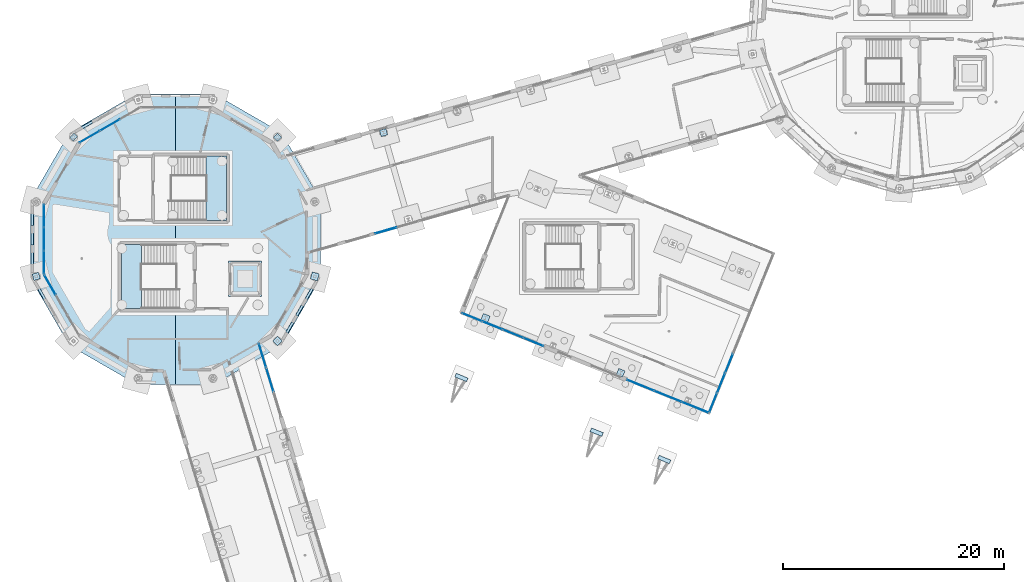
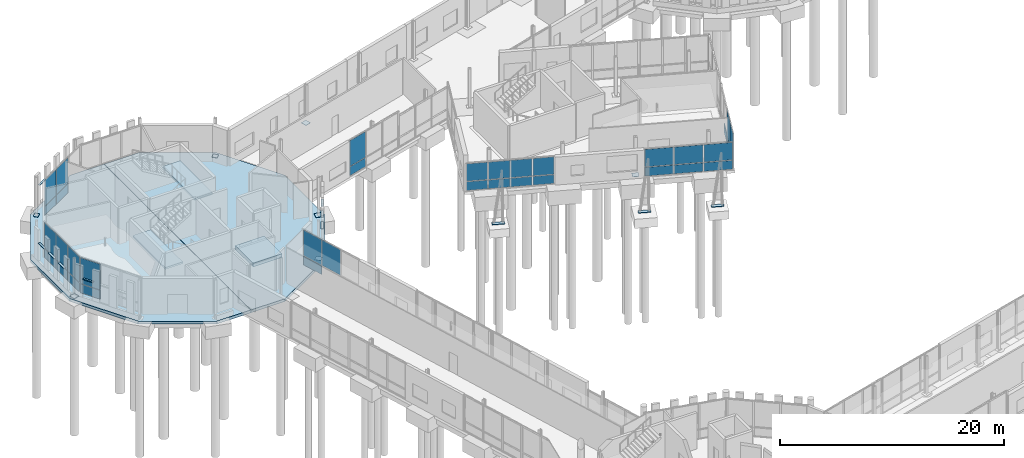
# One storey, part 67 of 113: 55 plates, 5 slabs, 10 elements without a shape of their own.
"""IFC4 building model written with IfcOpenShell, lengths in metres."""

from ifc_helpers import new_model, si_unit, direction, frame, origin, origin_2d, place, context, subcontext, project, spatial, polyline, rectangle, outline, extrude, material, layer, layer_set, type_object, element, aggregate, save


model = new_model("IFC4")

# Units and contexts
model_context = context("Model", 3, precision=1e-05, world=origin(), true_north=direction((0.0, 1.0)))
body_context = subcontext(model_context, "Body", "Model", "MODEL_VIEW")
ifc_project = project(units=[si_unit("LENGTHUNIT", "METRE"), si_unit("AREAUNIT", "SQUARE_METRE"), si_unit("VOLUMEUNIT", "CUBIC_METRE"), si_unit("PLANEANGLEUNIT", "RADIAN"), si_unit("MASSUNIT", "GRAM", prefix="KILO")], contexts=[model_context])

# Site, building, storey
site_placement = place(None, origin())
site = spatial("IfcSite", under=ifc_project, at=site_placement, CompositionType="ELEMENT")
building_placement = place(site_placement, origin())
building = spatial("IfcBuilding", under=site, at=building_placement, Name="Wrenclough Park School", CompositionType="ELEMENT")
storey_placement = place(building_placement, origin())
storey = spatial("IfcBuildingStorey", under=building, at=storey_placement, Name="L00", CompositionType="ELEMENT", Elevation=0.0)

# Curtain wall, plates
ifc_material_1 = material(Name="Thermally broken aluminium and low-e glass curtain wall", Category="aluminium")
curtain_wall_type_1 = type_object("IfcCurtainWallType", Name="ENV-CW-09", PredefinedType="USERDEFINED", material=ifc_material_1)
curtain_wall_1_placement = place(storey_placement, origin())
curtain_wall_1 = element("IfcCurtainWall", 1, at=curtain_wall_1_placement, inside=storey, type_object=curtain_wall_type_1, Name="L00 recessed curtain wall assembly 008", ObjectType="CURTAIN WALL", PredefinedType="USERDEFINED")
ifc_material_2 = material(Name="Double-glazed solar-control low-e glass", Category="glass")
ifc_layer_1 = layer(ifc_material_2, 0.02587890625)
ifc_layer_set_1 = layer_set([ifc_layer_1], Name="Double-glazed solar-control low-e glass")
plate_type_1 = type_object("IfcPlateType", Name="ENV-CWP-GL26", PredefinedType="CURTAIN_PANEL", material=ifc_layer_set_1)
plate_1_placement = place(storey_placement, frame((4.59423828125, 87.393310546875, 0.06982421875), z_axis=(0.0, 0.0, 1.0), x_axis=(0.0, 1.0, 0.0)))
plate_1 = element("IfcPlate", 2, at=plate_1_placement, type_object=plate_type_1, Name="CW-09 panel 1.1", PredefinedType="CURTAIN_PANEL", context=body_context, shape_type="SweptSolid", body=[
    extrude(rectangle(XDim=2.01904296875, YDim=0.02587890625, at=origin_2d()), origin(), (0.0, 0.0, 1.0), 0.945068359375),
])
plate_2_placement = place(storey_placement, frame((4.59423828125, 87.393310546875, 1.0849609375), z_axis=(0.0, 0.0, 1.0), x_axis=(0.0, 1.0, 0.0)))
plate_2 = element("IfcPlate", 3, at=plate_2_placement, type_object=plate_type_1, Name="CW-09 panel 1.2", PredefinedType="CURTAIN_PANEL", context=body_context, shape_type="SweptSolid", body=[
    extrude(rectangle(XDim=2.01904296875, YDim=0.02587890625, at=origin_2d()), origin(), (0.0, 0.0, 1.0), 2.784912109375),
])
plate_3_placement = place(storey_placement, frame((4.59423828125, 89.5, 0.06982421875), z_axis=(0.0, 0.0, 1.0), x_axis=(0.0, 1.0, 0.0)))
plate_3 = element("IfcPlate", 4, at=plate_3_placement, type_object=plate_type_1, Name="CW-09 panel 2.1", PredefinedType="CURTAIN_PANEL", context=body_context, shape_type="SweptSolid", body=[
    extrude(rectangle(XDim=2.05419921875, YDim=0.02587890625, at=origin_2d()), origin(), (0.0, 0.0, 1.0), 0.945068359375),
])
plate_4_placement = place(storey_placement, frame((4.59423828125, 89.5, 1.0849609375), z_axis=(0.0, 0.0, 1.0), x_axis=(0.0, 1.0, 0.0)))
plate_4 = element("IfcPlate", 5, at=plate_4_placement, type_object=plate_type_1, Name="CW-09 panel 2.2", PredefinedType="CURTAIN_PANEL", context=body_context, shape_type="SweptSolid", body=[
    extrude(rectangle(XDim=2.05419921875, YDim=0.02587890625, at=origin_2d()), origin(), (0.0, 0.0, 1.0), 2.784912109375),
])
plate_5_placement = place(storey_placement, frame((4.59423828125, 91.606689453125, 0.06982421875), z_axis=(0.0, 0.0, 1.0), x_axis=(0.0, 1.0, 0.0)))
plate_5 = element("IfcPlate", 6, at=plate_5_placement, type_object=plate_type_1, Name="CW-09 panel 3.1", PredefinedType="CURTAIN_PANEL", context=body_context, shape_type="SweptSolid", body=[
    extrude(rectangle(XDim=2.01904296875, YDim=0.02587890625, at=origin_2d()), origin(), (0.0, 0.0, 1.0), 0.945068359375),
])
plate_6_placement = place(storey_placement, frame((4.59423828125, 91.606689453125, 1.0849609375), z_axis=(0.0, 0.0, 1.0), x_axis=(0.0, 1.0, 0.0)))
plate_6 = element("IfcPlate", 7, at=plate_6_placement, type_object=plate_type_1, Name="CW-09 panel 3.2", PredefinedType="CURTAIN_PANEL", context=body_context, shape_type="SweptSolid", body=[
    extrude(rectangle(XDim=2.01904296875, YDim=0.02587890625, at=origin_2d()), origin(), (0.0, 0.0, 1.0), 2.784912109375),
])
aggregate(curtain_wall_1, [plate_1, plate_2, plate_3, plate_4, plate_5, plate_6])

curtain_wall_type_2 = type_object("IfcCurtainWallType", Name="ENV-CW-13", PredefinedType="USERDEFINED", material=ifc_material_1)
curtain_wall_2_placement = place(storey_placement, origin())
curtain_wall_2 = element("IfcCurtainWall", 8, at=curtain_wall_2_placement, inside=storey, type_object=curtain_wall_type_2, Name="L00 recessed curtain wall assembly 076", ObjectType="CURTAIN WALL", PredefinedType="USERDEFINED")
plate_7_placement = place(storey_placement, frame((48.90087890625, 80.17919921875, 0.06494140625), z_axis=(0.0, 0.0, 1.0), x_axis=(-0.927185306493, 0.374602999753, 0.0)))
plate_7 = element("IfcPlate", 9, at=plate_7_placement, type_object=plate_type_1, Name="CW-13 panel 1.1", PredefinedType="CURTAIN_PANEL", context=body_context, shape_type="SweptSolid", body=[
    extrude(rectangle(XDim=1.913818359375, YDim=0.02587890625, at=origin_2d()), origin(), (0.0, 0.0, 1.0), 0.952392578125),
])
plate_8_placement = place(storey_placement, frame((48.90087890625, 80.17919921875, 1.08251953125), z_axis=(0.0, 0.0, 1.0), x_axis=(-0.927185306493, 0.374602999753, 0.0)))
plate_8 = element("IfcPlate", 10, at=plate_8_placement, type_object=plate_type_1, Name="CW-13 panel 1.2", PredefinedType="CURTAIN_PANEL", context=body_context, shape_type="SweptSolid", body=[
    extrude(rectangle(XDim=1.913818359375, YDim=0.02587890625, at=origin_2d()), origin(), (0.0, 0.0, 1.0), 1.89453125),
])
plate_9_placement = place(storey_placement, frame((47.05126953125, 80.926513671875, 0.06494140625), z_axis=(0.0, 0.0, 1.0), x_axis=(-0.927185306493, 0.374602999753, 0.0)))
plate_9 = element("IfcPlate", 11, at=plate_9_placement, type_object=plate_type_1, Name="CW-13 panel 2.1", PredefinedType="CURTAIN_PANEL", context=body_context, shape_type="SweptSolid", body=[
    extrude(rectangle(XDim=1.9462890625, YDim=0.02587890625, at=origin_2d()), origin(), (0.0, 0.0, 1.0), 0.952392578125),
])
plate_10_placement = place(storey_placement, frame((47.05126953125, 80.926513671875, 1.08251953125), z_axis=(0.0, 0.0, 1.0), x_axis=(-0.927185306493, 0.374602999753, 0.0)))
plate_10 = element("IfcPlate", 12, at=plate_10_placement, type_object=plate_type_1, Name="CW-13 panel 2.2", PredefinedType="CURTAIN_PANEL", context=body_context, shape_type="SweptSolid", body=[
    extrude(rectangle(XDim=1.9462890625, YDim=0.02587890625, at=origin_2d()), origin(), (0.0, 0.0, 1.0), 1.89453125),
])
plate_11_placement = place(storey_placement, frame((45.186279296875, 81.679931640625, 0.06494140625), z_axis=(0.0, 0.0, 1.0), x_axis=(-0.927185306493, 0.374602999753, 0.0)))
plate_11 = element("IfcPlate", 13, at=plate_11_placement, type_object=plate_type_1, Name="CW-13 panel 3.1", PredefinedType="CURTAIN_PANEL", context=body_context, shape_type="SweptSolid", body=[
    extrude(rectangle(XDim=1.9462890625, YDim=0.02587890625, at=origin_2d()), origin(), (0.0, 0.0, 1.0), 0.952392578125),
])
plate_12_placement = place(storey_placement, frame((45.186279296875, 81.679931640625, 1.08251953125), z_axis=(0.0, 0.0, 1.0), x_axis=(-0.927185306493, 0.374602999753, 0.0)))
plate_12 = element("IfcPlate", 14, at=plate_12_placement, type_object=plate_type_1, Name="CW-13 panel 3.2", PredefinedType="CURTAIN_PANEL", context=body_context, shape_type="SweptSolid", body=[
    extrude(rectangle(XDim=1.9462890625, YDim=0.02587890625, at=origin_2d()), origin(), (0.0, 0.0, 1.0), 1.89453125),
])
plate_13_placement = place(storey_placement, frame((43.33642578125, 82.427490234375, 0.06494140625), z_axis=(0.0, 0.0, 1.0), x_axis=(-0.927185306493, 0.374602999753, 0.0)))
plate_13 = element("IfcPlate", 15, at=plate_13_placement, type_object=plate_type_1, Name="CW-13 panel 4.1", PredefinedType="CURTAIN_PANEL", context=body_context, shape_type="SweptSolid", body=[
    extrude(rectangle(XDim=1.913818359375, YDim=0.02587890625, at=origin_2d()), origin(), (0.0, 0.0, 1.0), 0.952392578125),
])
plate_14_placement = place(storey_placement, frame((43.33642578125, 82.427490234375, 1.08251953125), z_axis=(0.0, 0.0, 1.0), x_axis=(-0.927185306493, 0.374602999753, 0.0)))
plate_14 = element("IfcPlate", 16, at=plate_14_placement, type_object=plate_type_1, Name="CW-13 panel 4.2", PredefinedType="CURTAIN_PANEL", context=body_context, shape_type="SweptSolid", body=[
    extrude(rectangle(XDim=1.913818359375, YDim=0.02587890625, at=origin_2d()), origin(), (0.0, 0.0, 1.0), 1.89453125),
])
aggregate(curtain_wall_2, [plate_7, plate_8, plate_9, plate_10, plate_11, plate_12, plate_13, plate_14])

curtain_wall_type_3 = type_object("IfcCurtainWallType", Name="ENV-CW-01", PredefinedType="USERDEFINED", material=ifc_material_1)
curtain_wall_3_placement = place(storey_placement, origin())
curtain_wall_3 = element("IfcCurtainWall", 17, at=curtain_wall_3_placement, inside=storey, type_object=curtain_wall_type_3, Name="L00 recessed curtain wall assembly 080", ObjectType="CURTAIN WALL", PredefinedType="USERDEFINED")
plate_15_placement = place(storey_placement, frame((24.372802734375, 78.968017578125, 0.06982421875), z_axis=(0.0, 0.0, 1.0), x_axis=(0.289988669528, -0.957030078705, 0.0)))
plate_15 = element("IfcPlate", 18, at=plate_15_placement, type_object=plate_type_1, Name="CW-01 panel 1.1", PredefinedType="CURTAIN_PANEL", context=body_context, shape_type="SweptSolid", body=[
    extrude(rectangle(XDim=2.217041015625, YDim=0.02587890625, at=origin_2d()), origin(), (0.0, 0.0, 1.0), 0.945068359375),
])
plate_16_placement = place(storey_placement, frame((24.372802734375, 78.968017578125, 1.0849609375), z_axis=(0.0, 0.0, 1.0), x_axis=(0.289988669528, -0.957030078705, 0.0)))
plate_16 = element("IfcPlate", 19, at=plate_16_placement, type_object=plate_type_1, Name="CW-01 panel 1.2", PredefinedType="CURTAIN_PANEL", context=body_context, shape_type="SweptSolid", body=[
    extrude(rectangle(XDim=2.217041015625, YDim=0.02587890625, at=origin_2d()), origin(), (0.0, 0.0, 1.0), 2.784912109375),
])
plate_17_placement = place(storey_placement, frame((25.041015625, 76.762451171875, 1.0849609375), z_axis=(0.0, 0.0, 1.0), x_axis=(0.289988669528, -0.957030078705, 0.0)))
plate_17 = element("IfcPlate", 20, at=plate_17_placement, type_object=plate_type_1, Name="CW-01 panel 2.2", PredefinedType="CURTAIN_PANEL", context=body_context, shape_type="SweptSolid", body=[
    extrude(rectangle(XDim=2.251953125, YDim=0.02587890625, at=origin_2d()), origin(), (0.0, 0.0, 1.0), 2.784912109375),
])
aggregate(curtain_wall_3, [plate_15, plate_16, plate_17])

curtain_wall_type_4 = type_object("IfcCurtainWallType", Name="ENV-CW-10", PredefinedType="USERDEFINED", material=ifc_material_1)
curtain_wall_4_placement = place(storey_placement, origin())
curtain_wall_4 = element("IfcCurtainWall", 21, at=curtain_wall_4_placement, inside=storey, type_object=curtain_wall_type_4, Name="L00 recessed curtain wall assembly 009", ObjectType="CURTAIN WALL", PredefinedType="USERDEFINED")
ifc_material_3 = material(Name="Double-glazed acoustic low-e glass", Category="glass")
ifc_layer_2 = layer(ifc_material_3, 0.030029296875)
ifc_layer_set_2 = layer_set([ifc_layer_2], Name="Double-glazed acoustic low-e glass")
plate_type_2 = type_object("IfcPlateType", Name="ENV-CWP-GL30", PredefinedType="CURTAIN_PANEL", material=ifc_layer_set_2)
plate_18_placement = place(storey_placement, frame((8.720458984375, 98.756103515625, 0.06005859375), z_axis=(0.0, 0.0, 1.0), x_axis=(0.86602591075, 0.499999121909, 0.0)))
plate_18 = element("IfcPlate", 22, at=plate_18_placement, type_object=plate_type_2, Name="CW-10 panel 1.1", PredefinedType="CURTAIN_PANEL", context=body_context, shape_type="SweptSolid", body=[
    extrude(rectangle(XDim=2.0341796875, YDim=0.030029296875, at=origin_2d()), origin(), (0.0, 0.0, 1.0), 0.9599609375),
])
plate_19_placement = place(storey_placement, frame((8.720458984375, 98.756103515625, 1.080078125), z_axis=(0.0, 0.0, 1.0), x_axis=(0.86602591075, 0.499999121909, 0.0)))
plate_19 = element("IfcPlate", 23, at=plate_19_placement, type_object=plate_type_2, Name="CW-10 panel 1.2", PredefinedType="CURTAIN_PANEL", context=body_context, shape_type="SweptSolid", body=[
    extrude(rectangle(XDim=2.0341796875, YDim=0.030029296875, at=origin_2d()), origin(), (0.0, 0.0, 1.0), 2.800048828125),
])
plate_20_placement = place(storey_placement, frame((10.547119140625, 99.810791015625, 0.06005859375), z_axis=(0.0, 0.0, 1.0), x_axis=(0.86602591075, 0.499999121909, 0.0)))
plate_20 = element("IfcPlate", 24, at=plate_20_placement, type_object=plate_type_2, Name="CW-10 panel 2.1", PredefinedType="CURTAIN_PANEL", context=body_context, shape_type="SweptSolid", body=[
    extrude(rectangle(XDim=2.06396484375, YDim=0.030029296875, at=origin_2d()), origin(), (0.0, 0.0, 1.0), 0.9599609375),
])
plate_21_placement = place(storey_placement, frame((10.547119140625, 99.810791015625, 1.080078125), z_axis=(0.0, 0.0, 1.0), x_axis=(0.86602591075, 0.499999121909, 0.0)))
plate_21 = element("IfcPlate", 25, at=plate_21_placement, type_object=plate_type_2, Name="CW-10 panel 2.2", PredefinedType="CURTAIN_PANEL", context=body_context, shape_type="SweptSolid", body=[
    extrude(rectangle(XDim=2.06396484375, YDim=0.030029296875, at=origin_2d()), origin(), (0.0, 0.0, 1.0), 2.800048828125),
])
aggregate(curtain_wall_4, [plate_18, plate_19, plate_20, plate_21])

curtain_wall_type_5 = type_object("IfcCurtainWallType", Name="ENV-CW-11", PredefinedType="USERDEFINED", material=ifc_material_1)
curtain_wall_5_placement = place(storey_placement, origin())
curtain_wall_5 = element("IfcCurtainWall", 26, at=curtain_wall_5_placement, inside=storey, type_object=curtain_wall_type_5, Name="L00 recessed curtain wall assembly 074", ObjectType="CURTAIN WALL", PredefinedType="USERDEFINED")
ifc_material_4 = material(Name="Triple-glazed senior-lab low-e glass", Category="glass")
ifc_layer_3 = layer(ifc_material_4, 0.033935546875)
ifc_layer_set_3 = layer_set([ifc_layer_3], Name="Triple-glazed senior-lab low-e glass")
plate_type_3 = type_object("IfcPlateType", Name="ENV-CWP-GL34", PredefinedType="CURTAIN_PANEL", material=ifc_layer_set_3)
plate_22_placement = place(storey_placement, frame((66.607177734375, 78.268798828125, 0.06982421875), z_axis=(0.0, 0.0, 1.0), x_axis=(-0.374600688333, -0.927186240353, 0.0)))
plate_22 = element("IfcPlate", 27, at=plate_22_placement, type_object=plate_type_3, Name="CW-11 panel 2.1", PredefinedType="CURTAIN_PANEL", context=body_context, shape_type="SweptSolid", body=[
    extrude(rectangle(XDim=1.873046875, YDim=0.033935546875, at=origin_2d()), origin(), (0.0, 0.0, 1.0), 0.945068359375),
])
plate_23_placement = place(storey_placement, frame((65.87939453125, 76.46728515625, 0.06982421875), z_axis=(0.0, 0.0, 1.0), x_axis=(-0.374600688333, -0.927186240353, 0.0)))
plate_23 = element("IfcPlate", 28, at=plate_23_placement, type_object=plate_type_3, Name="CW-11 panel 3.1", PredefinedType="CURTAIN_PANEL", context=body_context, shape_type="SweptSolid", body=[
    extrude(rectangle(XDim=1.873046875, YDim=0.033935546875, at=origin_2d()), origin(), (0.0, 0.0, 1.0), 0.945068359375),
])
plate_24_placement = place(storey_placement, frame((65.87939453125, 76.46728515625, 1.0849609375), z_axis=(0.0, 0.0, 1.0), x_axis=(-0.374600688333, -0.927186240353, 0.0)))
plate_24 = element("IfcPlate", 29, at=plate_24_placement, type_object=plate_type_3, Name="CW-11 panel 3.2", PredefinedType="CURTAIN_PANEL", context=body_context, shape_type="SweptSolid", body=[
    extrude(rectangle(XDim=1.873046875, YDim=0.033935546875, at=origin_2d()), origin(), (0.0, 0.0, 1.0), 2.784912109375),
])
plate_25_placement = place(storey_placement, frame((65.157958984375, 74.681884765625, 0.06982421875), z_axis=(0.0, 0.0, 1.0), x_axis=(-0.374600688333, -0.927186240353, 0.0)))
plate_25 = element("IfcPlate", 30, at=plate_25_placement, type_object=plate_type_3, Name="CW-11 panel 4.1", PredefinedType="CURTAIN_PANEL", context=body_context, shape_type="SweptSolid", body=[
    extrude(rectangle(XDim=1.837890625, YDim=0.033935546875, at=origin_2d()), origin(), (0.0, 0.0, 1.0), 0.945068359375),
])
plate_26_placement = place(storey_placement, frame((65.157958984375, 74.681884765625, 1.0849609375), z_axis=(0.0, 0.0, 1.0), x_axis=(-0.374600688333, -0.927186240353, 0.0)))
plate_26 = element("IfcPlate", 31, at=plate_26_placement, type_object=plate_type_3, Name="CW-11 panel 4.2", PredefinedType="CURTAIN_PANEL", context=body_context, shape_type="SweptSolid", body=[
    extrude(rectangle(XDim=1.837890625, YDim=0.033935546875, at=origin_2d()), origin(), (0.0, 0.0, 1.0), 2.784912109375),
])
aggregate(curtain_wall_5, [plate_22, plate_23, plate_24, plate_25, plate_26])

curtain_wall_type_6 = type_object("IfcCurtainWallType", Name="ENV-CW-12", PredefinedType="USERDEFINED", material=ifc_material_1)
curtain_wall_6_placement = place(storey_placement, origin())
curtain_wall_6 = element("IfcCurtainWall", 32, at=curtain_wall_6_placement, inside=storey, type_object=curtain_wall_type_6, Name="L00 recessed curtain wall assembly 075", ObjectType="CURTAIN WALL", PredefinedType="USERDEFINED")
ifc_material_5 = material(Name="Laminated sports-concourse safety glass", Category="glass")
ifc_layer_4 = layer(ifc_material_5, 0.0380859375)
ifc_layer_set_4 = layer_set([ifc_layer_4], Name="Laminated sports-concourse safety glass")
plate_type_4 = type_object("IfcPlateType", Name="ENV-CWP-GL38", PredefinedType="CURTAIN_PANEL", material=ifc_layer_set_4)
plate_27_placement = place(storey_placement, frame((63.525146484375, 74.270751953125, 0.06005859375), z_axis=(0.0, 0.0, 1.0), x_axis=(-0.927185306493, 0.374602999753, 0.0)))
plate_27 = element("IfcPlate", 33, at=plate_27_placement, type_object=plate_type_4, Name="CW-12 panel 1.1", PredefinedType="CURTAIN_PANEL", context=body_context, shape_type="SweptSolid", body=[
    extrude(rectangle(XDim=2.591796875, YDim=0.0380859375, at=origin_2d()), origin(), (0.0, 0.0, 1.0), 0.9599609375),
])
plate_28_placement = place(storey_placement, frame((63.525146484375, 74.270751953125, 1.080078125), z_axis=(0.0, 0.0, 1.0), x_axis=(-0.927185306493, 0.374602999753, 0.0)))
plate_28 = element("IfcPlate", 34, at=plate_28_placement, type_object=plate_type_4, Name="CW-12 panel 1.2", PredefinedType="CURTAIN_PANEL", context=body_context, shape_type="SweptSolid", body=[
    extrude(rectangle(XDim=2.591796875, YDim=0.0380859375, at=origin_2d()), origin(), (0.0, 0.0, 1.0), 1.902099609375),
])
plate_29_placement = place(storey_placement, frame((61.052490234375, 75.269775390625, 0.06005859375), z_axis=(0.0, 0.0, 1.0), x_axis=(-0.927185306493, 0.374602999753, 0.0)))
plate_29 = element("IfcPlate", 35, at=plate_29_placement, type_object=plate_type_4, Name="CW-12 panel 2.1", PredefinedType="CURTAIN_PANEL", context=body_context, shape_type="SweptSolid", body=[
    extrude(rectangle(XDim=2.621826171875, YDim=0.0380859375, at=origin_2d()), origin(), (0.0, 0.0, 1.0), 0.9599609375),
])
plate_30_placement = place(storey_placement, frame((61.052490234375, 75.269775390625, 1.080078125), z_axis=(0.0, 0.0, 1.0), x_axis=(-0.927185306493, 0.374602999753, 0.0)))
plate_30 = element("IfcPlate", 36, at=plate_30_placement, type_object=plate_type_4, Name="CW-12 panel 2.2", PredefinedType="CURTAIN_PANEL", context=body_context, shape_type="SweptSolid", body=[
    extrude(rectangle(XDim=2.621826171875, YDim=0.0380859375, at=origin_2d()), origin(), (0.0, 0.0, 1.0), 1.902099609375),
])
plate_31_placement = place(storey_placement, frame((58.580078125, 76.268798828125, 0.06005859375), z_axis=(0.0, 0.0, 1.0), x_axis=(-0.927185306493, 0.374602999753, 0.0)))
plate_31 = element("IfcPlate", 37, at=plate_31_placement, type_object=plate_type_4, Name="CW-12 panel 3.1", PredefinedType="CURTAIN_PANEL", context=body_context, shape_type="SweptSolid", body=[
    extrude(rectangle(XDim=2.591796875, YDim=0.0380859375, at=origin_2d()), origin(), (0.0, 0.0, 1.0), 0.9599609375),
])
plate_32_placement = place(storey_placement, frame((58.580078125, 76.268798828125, 1.080078125), z_axis=(0.0, 0.0, 1.0), x_axis=(-0.927185306493, 0.374602999753, 0.0)))
plate_32 = element("IfcPlate", 38, at=plate_32_placement, type_object=plate_type_4, Name="CW-12 panel 3.2", PredefinedType="CURTAIN_PANEL", context=body_context, shape_type="SweptSolid", body=[
    extrude(rectangle(XDim=2.591796875, YDim=0.0380859375, at=origin_2d()), origin(), (0.0, 0.0, 1.0), 1.902099609375),
])
aggregate(curtain_wall_6, [plate_27, plate_28, plate_29, plate_30, plate_31, plate_32])

curtain_wall_type_7 = type_object("IfcCurtainWallType", Name="ENV-CW-08", PredefinedType="USERDEFINED", material=ifc_material_1)
curtain_wall_7_placement = place(storey_placement, origin())
curtain_wall_7 = element("IfcCurtainWall", 39, at=curtain_wall_7_placement, inside=storey, type_object=curtain_wall_type_7, Name="L00 recessed curtain wall assembly 007", ObjectType="CURTAIN WALL", PredefinedType="USERDEFINED")
ifc_material_6 = material(Name="Acoustic mineral-wool spandrel cassette", Category="aluminium")
ifc_layer_5 = layer(ifc_material_6, 0.053955078125)
ifc_layer_set_5 = layer_set([ifc_layer_5], Name="Acoustic mineral-wool spandrel cassette")
plate_type_5 = type_object("IfcPlateType", Name="ENV-CWP-SP54", PredefinedType="CURTAIN_PANEL", material=ifc_layer_set_5)
plate_33_placement = place(storey_placement, frame((5.13525390625, 85.37255859375, 0.06494140625), z_axis=(0.0, 0.0, 1.0), x_axis=(-0.499999121909, 0.86602591075, 0.0)))
plate_33 = element("IfcPlate", 40, at=plate_33_placement, type_object=plate_type_5, Name="CW-08 panel 3.1", PredefinedType="CURTAIN_PANEL", context=body_context, shape_type="SweptSolid", body=[
    extrude(rectangle(XDim=2.026611328125, YDim=0.053955078125, at=origin_2d()), origin(), (0.0, 0.0, 1.0), 0.952392578125),
])
plate_34_placement = place(storey_placement, frame((5.13525390625, 85.37255859375, 1.08251953125), z_axis=(0.0, 0.0, 1.0), x_axis=(-0.499999121909, 0.86602591075, 0.0)))
plate_34 = element("IfcPlate", 41, at=plate_34_placement, type_object=plate_type_5, Name="CW-08 panel 3.2", PredefinedType="CURTAIN_PANEL", context=body_context, shape_type="SweptSolid", body=[
    extrude(rectangle(XDim=2.026611328125, YDim=0.053955078125, at=origin_2d()), origin(), (0.0, 0.0, 1.0), 2.79248046875),
])
aggregate(curtain_wall_7, [plate_33, plate_34])

curtain_wall_type_8 = type_object("IfcCurtainWallType", Name="ENV-CW-16", PredefinedType="USERDEFINED", material=ifc_material_1)
curtain_wall_8_placement = place(storey_placement, origin())
curtain_wall_8 = element("IfcCurtainWall", 42, at=curtain_wall_8_placement, inside=storey, type_object=curtain_wall_type_8, Name="L00 recessed curtain wall assembly 079", ObjectType="CURTAIN WALL", PredefinedType="USERDEFINED")
plate_35_placement = place(storey_placement, frame((35.534423828125, 90.279052734375, 0.06494140625), z_axis=(0.0, 0.0, 1.0), x_axis=(-0.96152394764, -0.274721127899, 0.0)))
plate_35 = element("IfcPlate", 43, at=plate_35_placement, type_object=plate_type_5, Name="CW-16 panel 3.1", PredefinedType="CURTAIN_PANEL", context=body_context, shape_type="SweptSolid", body=[
    extrude(rectangle(XDim=2.0126953125, YDim=0.053955078125, at=origin_2d()), origin(), (0.0, 0.0, 1.0), 0.952392578125),
])
plate_36_placement = place(storey_placement, frame((35.534423828125, 90.279052734375, 1.08251953125), z_axis=(0.0, 0.0, 1.0), x_axis=(-0.96152394764, -0.274721127899, 0.0)))
plate_36 = element("IfcPlate", 44, at=plate_36_placement, type_object=plate_type_5, Name="CW-16 panel 3.2", PredefinedType="CURTAIN_PANEL", context=body_context, shape_type="SweptSolid", body=[
    extrude(rectangle(XDim=2.0126953125, YDim=0.053955078125, at=origin_2d()), origin(), (0.0, 0.0, 1.0), 2.79248046875),
])
aggregate(curtain_wall_8, [plate_35, plate_36])

# Plates
ifc_material_7 = material(Name="Anodised architectural aluminium solar shading fin plate", Category="aluminium")
ifc_layer_6 = layer(ifc_material_7, 0.0380859375)
ifc_layer_set_6 = layer_set([ifc_layer_6], Name="Anodised architectural aluminium solar shading fin plate")
plate_type_6 = type_object("IfcPlateType", Name="ENV-PL-BSF", PredefinedType="SHEET", material=ifc_layer_set_6)
plate_37_placement = place(storey_placement, frame((8.49755859375, 99.8408203125, 2.4951171875), z_axis=(0.0, 0.0, 1.0), x_axis=(-0.866030885401, -0.499990505441, 0.0)))
element("IfcPlate", 45, at=plate_37_placement, inside=storey, type_object=plate_type_6, Name="D3 L00 open-bond brick screen tie band 0069", PredefinedType="SHEET", context=body_context, shape_type="SweptSolid", body=[
    extrude(rectangle(XDim=1.071044921875, YDim=0.219970703125, at=origin_2d()), origin(), (0.0, 0.0, 1.0), 0.0419921875),
])
plate_38_placement = place(storey_placement, frame((3.54345703125, 91.260009765625, 2.4951171875), z_axis=(0.0, 0.0, 1.0), x_axis=(0.0, -1.0, 0.0)))
element("IfcPlate", 46, at=plate_38_placement, inside=storey, type_object=plate_type_6, Name="D3 L00 open-bond brick screen tie band 0070", PredefinedType="SHEET", context=body_context, shape_type="SweptSolid", body=[
    extrude(rectangle(XDim=1.07080078125, YDim=0.219970703125, at=origin_2d()), origin(), (0.0, 0.0, 1.0), 0.0419921875),
])
plate_39_placement = place(storey_placement, frame((3.54345703125, 89.5, 2.4951171875), z_axis=(0.0, 0.0, 1.0), x_axis=(0.0, -1.0, 0.0)))
element("IfcPlate", 47, at=plate_39_placement, inside=storey, type_object=plate_type_6, Name="D3 L00 open-bond brick screen tie band 0071", PredefinedType="SHEET", context=body_context, shape_type="SweptSolid", body=[
    extrude(rectangle(XDim=1.071044921875, YDim=0.219970703125, at=origin_2d()), origin(), (0.0, 0.0, 1.0), 0.0419921875),
])
plate_40_placement = place(storey_placement, frame((3.54345703125, 87.739990234375, 2.4951171875), z_axis=(0.0, 0.0, 1.0), x_axis=(0.0, -1.0, 0.0)))
element("IfcPlate", 48, at=plate_40_placement, inside=storey, type_object=plate_type_6, Name="D3 L00 open-bond brick screen tie band 0072", PredefinedType="SHEET", context=body_context, shape_type="SweptSolid", body=[
    extrude(rectangle(XDim=1.07080078125, YDim=0.219970703125, at=origin_2d()), origin(), (0.0, 0.0, 1.0), 0.0419921875),
])
for number, where, z_axis, x_axis, name in (
    (49, (4.3994140625, 84.5458984375, 2.4951171875), (0.0, 0.0, 1.0), (0.499990505441, -0.866030885401, 0.0), "D3 L00 open-bond brick screen tie band 0073"),
    (50, (26.8408203125, 81.49755859375, 2.4951171875), (0.0, 0.0, 1.0), (0.499990505441, 0.866030885401, 0.0), "D3 L00 open-bond brick screen tie band 0076"),
    (51, (27.720703125, 83.021728515625, 2.4951171875), (0.0, 0.0, 1.0), (0.499990505441, 0.866030885401, 0.0), "D3 L00 open-bond brick screen tie band 0077"),
    (52, (28.600830078125, 84.5458984375, 2.4951171875), (0.0, 0.0, 1.0), (0.499990505441, 0.866030885401, 0.0), "D3 L00 open-bond brick screen tie band 0078"),
):
    element("IfcPlate", number, at=place(storey_placement, frame(where, z_axis=z_axis, x_axis=x_axis)), inside=storey, type_object=plate_type_6, Name=name, PredefinedType="SHEET", context=body_context, shape_type="SweptSolid", body=[
        extrude(rectangle(XDim=1.071044921875, YDim=0.219970703125, at=origin_2d()), origin(), (0.0, 0.0, 1.0), 0.0419921875),
    ])

# Stair, slab
ifc_material_8 = material(Name="Precast concrete C40/50", Category="concrete")
stair_type = type_object("IfcStairType", Name="INT-ST-180-42", PredefinedType="HALF_TURN_STAIR", material=ifc_material_8)
stair_1_placement = place(storey_placement, origin())
stair_1 = element("IfcStair", 53, at=stair_1_placement, inside=storey, type_object=stair_type, Name="L00 escape stair ST-03", PredefinedType="HALF_TURN_STAIR")
ifc_layer_7 = layer(ifc_material_8, 0.195068359375)
ifc_layer_set_7 = layer_set([ifc_layer_7], Name="Precast concrete C40/50")
slab_type_1 = type_object("IfcSlabType", Name="INT-SL-LAND195", PredefinedType="LANDING", material=ifc_layer_set_7)
slab_1_placement = place(storey_placement, frame((0.0, 0.0, 1.989013671875)))
slab_1 = element("IfcSlab", 54, at=slab_1_placement, type_object=slab_type_1, Name="ST-03 landing 1", PredefinedType="LANDING", context=body_context, shape_type="SweptSolid", body=[
    extrude(outline(polyline([(11.60009765625, 83.199951171875), (13.423095703125, 83.199951171875), (13.423095703125, 89.0), (11.60009765625, 89.0), (11.60009765625, 83.199951171875)])), origin(), (0.0, 0.0, 1.0), 0.195068359375),
])
aggregate(stair_1, [slab_1])

stair_2_placement = place(storey_placement, origin())
stair_2 = element("IfcStair", 55, at=stair_2_placement, inside=storey, type_object=stair_type, Name="L00 escape stair ST-07", PredefinedType="HALF_TURN_STAIR")
slab_2_placement = place(storey_placement, frame((0.0, 0.0, 1.989013671875)))
slab_2 = element("IfcSlab", 56, at=slab_2_placement, type_object=slab_type_1, Name="ST-07 landing 1", PredefinedType="LANDING", context=body_context, shape_type="SweptSolid", body=[
    extrude(outline(polyline([(19.277099609375, 91.199951171875), (21.10009765625, 91.199951171875), (21.10009765625, 97.0), (19.277099609375, 97.0), (19.277099609375, 91.199951171875)])), origin(), (0.0, 0.0, 1.0), 0.195068359375),
])
aggregate(stair_2, [slab_2])

# Plates
ifc_material_9 = material(Name="Structural steel S355", Category="steel")
ifc_layer_8 = layer(ifc_material_9, 0.031982421875)
ifc_layer_set_8 = layer_set([ifc_layer_8], Name="Structural steel S355")
plate_type_7 = type_object("IfcPlateType", Name="STR-PL-BP1", PredefinedType="SHEET", material=ifc_layer_set_8)
for number, where, z_axis, x_axis, name in (
    (57, (44.548828125, 82.347412109375, 0.0), (0.0, 0.0, 1.0), (0.927183854567, -0.374606593416, 0.0), "Steel column baseplate EAVE-COURTYARD-F1"),
    (58, (29.105224609375, 86.122314453125, 0.0), (0.0, 0.0, 1.0), (0.258819045103, 0.965925826289, 0.0), "Steel column baseplate D3-OUT-12"),
):
    element("IfcPlate", number, at=place(storey_placement, frame(where, z_axis=z_axis, x_axis=x_axis)), inside=storey, type_object=plate_type_7, Name=name, PredefinedType="SHEET", context=body_context, shape_type="SweptSolid", body=[
        extrude(rectangle(XDim=0.64990234375, YDim=0.64990234375, at=origin_2d()), origin(), (0.0, 0.0, 1.0), 0.031982421875),
    ])
ifc_layer_9 = layer(ifc_material_9, 0.028076171875)
ifc_layer_set_9 = layer_set([ifc_layer_9], Name="Structural steel S355")
plate_type_8 = type_object("IfcPlateType", Name="STR-PL-BP2", PredefinedType="SHEET", material=ifc_layer_set_9)
plate_41_placement = place(storey_placement, frame((7.272216796875, 98.727783203125, 0.0), z_axis=(0.0, 0.0, 1.0), x_axis=(-0.707106781187, -0.707106781187, 0.0)))
element("IfcPlate", 59, at=plate_41_placement, inside=storey, type_object=plate_type_8, Name="Steel column baseplate D3-OUT-05", PredefinedType="SHEET", context=body_context, shape_type="SweptSolid", body=[
    extrude(rectangle(XDim=0.550048828125, YDim=0.449951171875, at=origin_2d()), origin(), (0.0, 0.0, 1.0), 0.028076171875),
])
ifc_layer_10 = layer(ifc_material_9, 0.02587890625)
ifc_layer_set_10 = layer_set([ifc_layer_10], Name="Structural steel S355")
plate_type_9 = type_object("IfcPlateType", Name="STR-PL-BP3", PredefinedType="SHEET", material=ifc_layer_set_10)
plate_42_placement = place(storey_placement, frame((25.727783203125, 98.727783203125, 0.0), z_axis=(0.0, 0.0, 1.0), x_axis=(-0.707106781187, 0.707106781187, 0.0)))
element("IfcPlate", 60, at=plate_42_placement, inside=storey, type_object=plate_type_9, Name="Steel column baseplate D3-OUT-02", PredefinedType="SHEET", context=body_context, shape_type="SweptSolid", body=[
    extrude(rectangle(XDim=0.5, YDim=0.5, at=origin_2d()), origin(), (0.0, 0.0, 1.0), 0.02587890625),
])
ifc_layer_11 = layer(ifc_material_9, 0.030029296875)
ifc_layer_set_11 = layer_set([ifc_layer_11], Name="Structural steel S355")
plate_type_10 = type_object("IfcPlateType", Name="STR-PL-BP4", PredefinedType="SHEET", material=ifc_layer_set_11)
for number, where, z_axis, x_axis, name in (
    (61, (56.78759765625, 77.402587890625, 0.0), (0.0, 0.0, 1.0), (0.927183854567, -0.374606593416, 0.0), "Steel column baseplate EAVE-COURTYARD-F3"),
    (62, (3.894775390625, 86.122314453125, 0.0), (0.0, 0.0, 1.0), (0.258819045103, -0.965925826289, 0.0), "Steel column baseplate D3-OUT-07"),
    (63, (25.727783203125, 80.272216796875, 0.0), (0.0, 0.0, 1.0), (0.707106781187, 0.707106781187, 0.0), "Steel column baseplate D3-OUT-11"),
    (64, (35.323486328125, 99.14208984375, 0.0), (0.0, 0.0, 1.0), (0.961501868857, 0.27479839189, 0.0), "Steel column baseplate W34-C1-L03"),
):
    element("IfcPlate", number, at=place(storey_placement, frame(where, z_axis=z_axis, x_axis=x_axis)), inside=storey, type_object=plate_type_10, Name=name, PredefinedType="SHEET", context=body_context, shape_type="SweptSolid", body=[
        extrude(rectangle(XDim=0.60009765625, YDim=0.60009765625, at=origin_2d()), origin(), (0.0, 0.0, 1.0), 0.030029296875),
    ])
ifc_layer_12 = layer(ifc_material_9, 0.02001953125)
ifc_layer_set_12 = layer_set([ifc_layer_12], Name="Structural steel S355")
plate_type_11 = type_object("IfcPlateType", Name="STR-PL-EP3", PredefinedType="SHEET", material=ifc_layer_set_12)
for number, where, z_axis, x_axis, name in (
    (65, (42.376220703125, 76.9697265625, 0.0), (0.0, 0.0, 1.0), (0.927183854567, -0.374606593416, 0.0), "EAVE-COURTYARD raking strut baseplate 1"),
    (66, (54.614990234375, 72.02490234375, 0.0), (0.0, 0.0, 1.0), (0.927183854567, -0.374606593416, 0.0), "EAVE-COURTYARD raking strut baseplate 2"),
    (67, (60.734375, 69.552490234375, 0.0), (0.0, 0.0, 1.0), (0.927183854567, -0.374606593416, 0.0), "EAVE-COURTYARD raking strut baseplate 3"),
):
    element("IfcPlate", number, at=place(storey_placement, frame(where, z_axis=z_axis, x_axis=x_axis)), inside=storey, type_object=plate_type_11, Name=name, PredefinedType="SHEET", context=body_context, shape_type="SweptSolid", body=[
        extrude(rectangle(XDim=1.14990234375, YDim=0.360107421875, at=origin_2d()), origin(), (0.0, 0.0, 1.0), 0.055908203125),
    ])

# Slabs
ifc_material_10 = material(Name="Concrete C35/45", Category="concrete")
ifc_layer_13 = layer(ifc_material_10, 0.300048828125)
ifc_layer_set_13 = layer_set([ifc_layer_13], Name="Concrete C35/45")
slab_type_2 = type_object("IfcSlabType", Name="STR-SL-BASE300", PredefinedType="BASESLAB", material=ifc_layer_set_13)
slab_3_placement = place(storey_placement, frame((0.0, 0.0, -0.300048828125)))
element("IfcSlab", 68, at=slab_3_placement, inside=storey, type_object=slab_type_2, Name="D3 L00 structural slab SLAB-D3-L00-W", PredefinedType="BASESLAB", context=body_context, shape_type="SweptSolid", body=[
    extrude(outline(polyline([(12.97998046875, 76.36328125), (16.493896484375, 76.36328125), (16.493896484375, 102.63671875), (12.97998046875, 102.63671875), (6.88330078125, 99.11669921875), (3.36328125, 93.02001953125), (3.36328125, 85.97998046875), (6.88330078125, 79.88330078125), (12.97998046875, 76.36328125)])), origin(), (0.0, 0.0, 1.0), 0.300048828125),
])
slab_4_placement = place(storey_placement, frame((0.0, 0.0, -0.300048828125)))
element("IfcSlab", 69, at=slab_4_placement, inside=storey, type_object=slab_type_2, Name="D3 L00 structural slab SLAB-D3-L00-E", PredefinedType="BASESLAB", context=body_context, shape_type="SweptSolid", body=[
    extrude(outline(polyline([(20.02001953125, 102.63671875), (16.506103515625, 102.63671875), (16.506103515625, 76.36328125), (20.02001953125, 76.36328125), (26.11669921875, 79.88330078125), (29.63671875, 85.97998046875), (29.63671875, 93.02001953125), (26.11669921875, 99.11669921875), (20.02001953125, 102.63671875)])), origin(), (0.0, 0.0, 1.0), 0.300048828125),
])
ifc_material_11 = material(Name="Concrete C40/50", Category="concrete")
ifc_layer_14 = layer(ifc_material_11, 0.39990234375)
ifc_layer_set_14 = layer_set([ifc_layer_14], Name="Concrete C40/50")
slab_type_3 = type_object("IfcSlabType", Name="STR-SL-PIT400", PredefinedType="BASESLAB", material=ifc_layer_set_14)
slab_5_placement = place(storey_placement, frame((0.0, 0.0, -1.800048828125)))
element("IfcSlab", 70, at=slab_5_placement, inside=storey, type_object=slab_type_3, Name="Lift LFT-05 reinforced concrete pit slab", PredefinedType="BASESLAB", context=body_context, shape_type="SweptSolid", body=[
    extrude(outline(polyline([(21.300048828125, 84.300048828125), (24.300048828125, 84.300048828125), (24.300048828125, 87.5), (21.300048828125, 87.5), (21.300048828125, 84.300048828125)])), origin(), (0.0, 0.0, 1.0), 0.400146484375),
])

save(model, "model.ifc")
